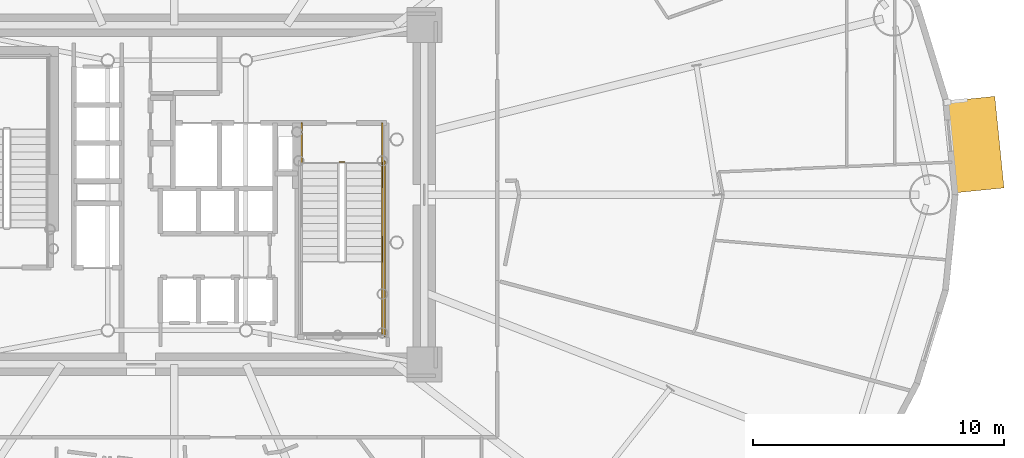
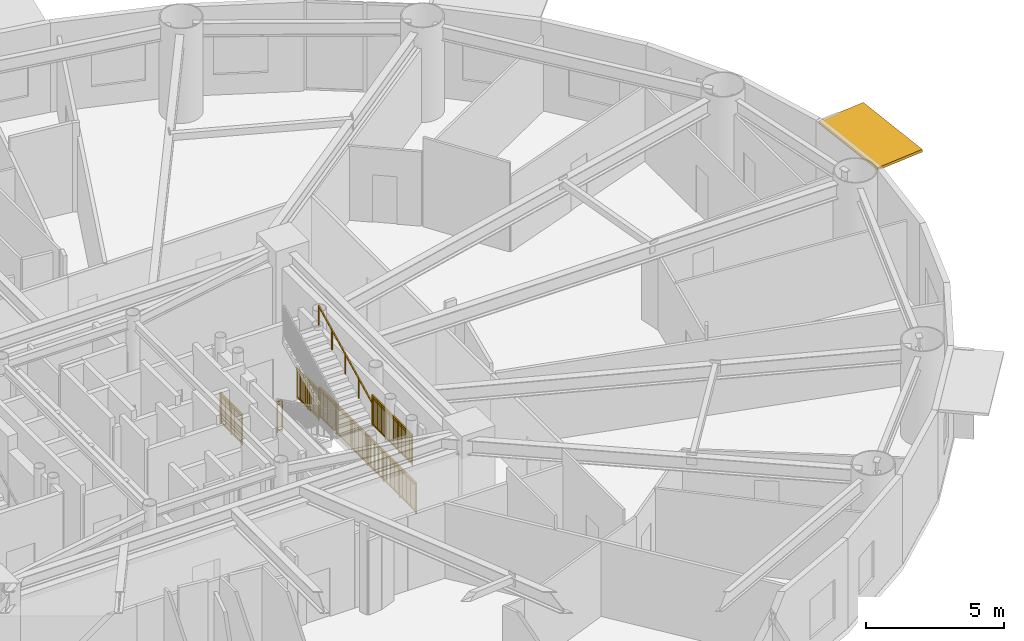
# One storey, part 23 of 24: 6 railings, 1 shading device.
"""IFC4 building model written with IfcOpenShell, lengths in metres."""

from ifc_helpers import new_model, si_unit, direction, frame, origin, origin_2d, place, context, subcontext, project, spatial, rectangle, extrude, source, transform, mapped, material, layer, layer_set, type_object, element, save


model = new_model("IFC4")

# Units and contexts
model_context = context("Model", 3, precision=1e-05, world=origin(), true_north=direction((0.0, 1.0)))
body_context = subcontext(model_context, "Body", "Model", "MODEL_VIEW")
ifc_project = project(units=[si_unit("LENGTHUNIT", "METRE"), si_unit("AREAUNIT", "SQUARE_METRE"), si_unit("VOLUMEUNIT", "CUBIC_METRE"), si_unit("PLANEANGLEUNIT", "RADIAN"), si_unit("MASSUNIT", "GRAM", prefix="KILO")], contexts=[model_context])

# Site, building, storey
site_placement = place(None, origin())
site = spatial("IfcSite", under=ifc_project, at=site_placement, CompositionType="ELEMENT")
building_placement = place(site_placement, origin())
building = spatial("IfcBuilding", under=site, at=building_placement, Name="Linh Dai School and Residence Tower", CompositionType="ELEMENT")
storey_placement = place(building_placement, frame((0.0, 0.0, 74.39990234375)))
storey = spatial("IfcBuildingStorey", under=building, at=storey_placement, Name="L17", CompositionType="ELEMENT", Elevation=74.39990234375)

# Shading device
ifc_material_1 = material(Name="Terracotta Ceramic Sunshade", Category="masonry")
ifc_layer = layer(ifc_material_1, 0.1201171875)
ifc_layer_set = layer_set([ifc_layer], Name="Terracotta Ceramic Sunshade")
shading_device_type = type_object("IfcShadingDeviceType", Name="SHD-TC-2000", PredefinedType="USERDEFINED", material=ifc_layer_set)
shared_shape_1 = source(origin(), body_context, "Body", "SweptSolid", [
    extrude(rectangle(XDim=3.663330078125, YDim=2.0, at=origin_2d()), origin(), (0.0, 0.0, 1.0), 0.1201171875),
])
shading_device_placement = place(storey_placement, frame((67.83935546875, 28.994384765625, 3.81005859375), z_axis=(0.0, 0.0, 1.0), x_axis=(0.100009387998, -0.994986493533, 0.0)))
element("IfcShadingDevice", 1, at=shading_device_placement, inside=storey, type_object=shading_device_type, Name="L17 Terracotta Horizontal Sunshade Band 01", ObjectType="SUNSHADE", PredefinedType="USERDEFINED", context=body_context, shape_type="MappedRepresentation", body=[
    mapped(shared_shape_1, transform((0.0, 0.0, 0.0), x_axis=(1.0, 0.0, 0.0), y_axis=(0.0, 1.0, 0.0), z_axis=(0.0, 0.0, 1.0), scale=1.0)),
])

# Railings
ifc_material_2 = material(Name="Structural Steel S355JR", Category="steel")
railing_type_1 = type_object("IfcRailingType", Name="RL-ST-GUARD-1400", PredefinedType="GUARDRAIL", material=ifc_material_2)
shared_shape_2 = source(origin(), body_context, "Body", "SweptSolid", [
    extrude(rectangle(XDim=0.048095703125, YDim=0.048095703125, at=origin_2d()), frame((0.0, 0.0, 1.3759765625), z_axis=(1.0, 0.0, 0.0), x_axis=(0.0, 1.0, 0.0)), (0.0, 0.0, 1.0), 0.199951171875),
    extrude(rectangle(XDim=0.048095703125, YDim=0.048095703125, at=origin_2d()), frame((0.0, 0.0, 0.10009765625), z_axis=(1.0, 0.0, 0.0), x_axis=(0.0, 1.0, 0.0)), (0.0, 0.0, 1.0), 0.199951171875),
    extrude(rectangle(XDim=0.030029296875, YDim=0.030029296875, at=origin_2d()), frame((0.0, 0.0, 1.239990234375), z_axis=(1.0, 0.0, 0.0), x_axis=(0.0, 1.0, 0.0)), (0.0, 0.0, 1.0), 0.199951171875),
    extrude(rectangle(XDim=0.0419921875, YDim=0.0419921875, at=origin_2d()), origin(), (0.0, 0.0, 1.0), 1.3759765625),
    extrude(rectangle(XDim=0.0419921875, YDim=0.0419921875, at=origin_2d()), frame((0.199951171875, 0.0, 0.0)), (0.0, 0.0, 1.0), 1.3759765625),
])
railing_1_placement = place(storey_placement, frame((42.570068359375, 28.300048828125, 0.0)))
element("IfcRailing", 2, at=railing_1_placement, inside=storey, type_object=railing_type_1, Name="L17 ST2 stair guard 7", PredefinedType="GUARDRAIL", context=body_context, shape_type="MappedRepresentation", body=[
    mapped(shared_shape_2, transform((0.0, 0.0, 0.0), x_axis=(1.0, 0.0, 0.0), y_axis=(0.0, 1.0, 0.0), z_axis=(0.0, 0.0, 1.0), scale=1.0)),
])
shared_shape_3 = source(origin(), body_context, "Body", "SweptSolid", [
    extrude(rectangle(XDim=0.048095703125, YDim=0.048095703125, at=origin_2d()), frame((0.0, 0.0, 1.3759765625), z_axis=(0.0, -1.0, 0.0), x_axis=(1.0, 0.0, 0.0)), (0.0, 0.0, 1.0), 1.60009765625),
    extrude(rectangle(XDim=0.048095703125, YDim=0.048095703125, at=origin_2d()), frame((0.0, 0.0, 0.10009765625), z_axis=(0.0, -1.0, 0.0), x_axis=(1.0, 0.0, 0.0)), (0.0, 0.0, 1.0), 1.60009765625),
    extrude(rectangle(XDim=0.030029296875, YDim=0.030029296875, at=origin_2d()), frame((0.0, 0.0, 1.239990234375), z_axis=(0.0, -1.0, 0.0), x_axis=(1.0, 0.0, 0.0)), (0.0, 0.0, 1.0), 1.60009765625),
    extrude(rectangle(XDim=0.02001953125, YDim=0.02001953125, at=origin_2d()), frame((0.0, -0.09423828125, 0.10009765625)), (0.0, 0.0, 1.0), 1.251708984375),
    extrude(rectangle(XDim=0.02001953125, YDim=0.02001953125, at=origin_2d()), frame((0.0, -0.188232421875, 0.10009765625)), (0.0, 0.0, 1.0), 1.251708984375),
    extrude(rectangle(XDim=0.02001953125, YDim=0.02001953125, at=origin_2d()), frame((0.0, -0.282470703125, 0.10009765625)), (0.0, 0.0, 1.0), 1.251708984375),
    extrude(rectangle(XDim=0.02001953125, YDim=0.02001953125, at=origin_2d()), frame((0.0, -0.37646484375, 0.10009765625)), (0.0, 0.0, 1.0), 1.251708984375),
    extrude(rectangle(XDim=0.02001953125, YDim=0.02001953125, at=origin_2d()), frame((0.0, -0.470703125, 0.10009765625)), (0.0, 0.0, 1.0), 1.251708984375),
    extrude(rectangle(XDim=0.02001953125, YDim=0.02001953125, at=origin_2d()), frame((0.0, -0.564697265625, 0.10009765625)), (0.0, 0.0, 1.0), 1.251708984375),
    extrude(rectangle(XDim=0.02001953125, YDim=0.02001953125, at=origin_2d()), frame((0.0, -0.658935546875, 0.10009765625)), (0.0, 0.0, 1.0), 1.251708984375),
    extrude(rectangle(XDim=0.02001953125, YDim=0.02001953125, at=origin_2d()), frame((0.0, -0.7529296875, 0.10009765625)), (0.0, 0.0, 1.0), 1.251708984375),
    extrude(rectangle(XDim=0.02001953125, YDim=0.02001953125, at=origin_2d()), frame((0.0, -0.84716796875, 0.10009765625)), (0.0, 0.0, 1.0), 1.251708984375),
    extrude(rectangle(XDim=0.02001953125, YDim=0.02001953125, at=origin_2d()), frame((0.0, -0.941162109375, 0.10009765625)), (0.0, 0.0, 1.0), 1.251708984375),
    extrude(rectangle(XDim=0.02001953125, YDim=0.02001953125, at=origin_2d()), frame((0.0, -1.035400390625, 0.10009765625)), (0.0, 0.0, 1.0), 1.251708984375),
    extrude(rectangle(XDim=0.02001953125, YDim=0.02001953125, at=origin_2d()), frame((0.0, -1.12939453125, 0.10009765625)), (0.0, 0.0, 1.0), 1.251708984375),
    extrude(rectangle(XDim=0.02001953125, YDim=0.02001953125, at=origin_2d()), frame((0.0, -1.2236328125, 0.10009765625)), (0.0, 0.0, 1.0), 1.251708984375),
    extrude(rectangle(XDim=0.02001953125, YDim=0.02001953125, at=origin_2d()), frame((0.0, -1.317626953125, 0.10009765625)), (0.0, 0.0, 1.0), 1.251708984375),
    extrude(rectangle(XDim=0.02001953125, YDim=0.02001953125, at=origin_2d()), frame((0.0, -1.411865234375, 0.10009765625)), (0.0, 0.0, 1.0), 1.251708984375),
    extrude(rectangle(XDim=0.02001953125, YDim=0.02001953125, at=origin_2d()), frame((0.0, -1.505859375, 0.10009765625)), (0.0, 0.0, 1.0), 1.251708984375),
    extrude(rectangle(XDim=0.0419921875, YDim=0.0419921875, at=origin_2d()), origin(), (0.0, 0.0, 1.0), 1.3759765625),
    extrude(rectangle(XDim=0.0419921875, YDim=0.0419921875, at=origin_2d()), frame((0.0, -0.800048828125, 0.0)), (0.0, 0.0, 1.0), 1.3759765625),
    extrude(rectangle(XDim=0.0419921875, YDim=0.0419921875, at=origin_2d()), frame((0.0, -1.60009765625, 0.0)), (0.0, 0.0, 1.0), 1.3759765625),
])
for number, where, name in (
    (3, (41.070068359375, 29.85009765625, 0.0), "L17 ST2 stair guard 8"),
    (4, (44.27001953125, 29.85009765625, 0.0), "L17 ST2 stair guard 9"),
):
    element("IfcRailing", number, at=place(storey_placement, frame(where)), inside=storey, type_object=railing_type_1, Name=name, PredefinedType="GUARDRAIL", context=body_context, shape_type="MappedRepresentation", body=[
        mapped(shared_shape_3, transform((0.0, 0.0, 0.0), x_axis=(1.0, 0.0, 0.0), y_axis=(0.0, 1.0, 0.0), z_axis=(0.0, 0.0, 1.0), scale=1.0)),
    ])
shared_shape_4 = source(origin(), body_context, "Body", "SweptSolid", [
    extrude(rectangle(XDim=0.048095703125, YDim=0.048095703125, at=origin_2d()), frame((0.0, 0.0, 1.3759765625), z_axis=(0.0, -1.0, 0.0), x_axis=(1.0, 0.0, 0.0)), (0.0, 0.0, 1.0), 7.0),
    extrude(rectangle(XDim=0.048095703125, YDim=0.048095703125, at=origin_2d()), frame((0.0, 0.0, 0.10009765625), z_axis=(0.0, -1.0, 0.0), x_axis=(1.0, 0.0, 0.0)), (0.0, 0.0, 1.0), 7.0),
    extrude(rectangle(XDim=0.030029296875, YDim=0.030029296875, at=origin_2d()), frame((0.0, 0.0, 1.239990234375), z_axis=(0.0, -1.0, 0.0), x_axis=(1.0, 0.0, 0.0)), (0.0, 0.0, 1.0), 7.0),
    extrude(rectangle(XDim=0.02001953125, YDim=0.02001953125, at=origin_2d()), frame((0.0, -0.09716796875, 0.10009765625)), (0.0, 0.0, 1.0), 1.251708984375),
    extrude(rectangle(XDim=0.02001953125, YDim=0.02001953125, at=origin_2d()), frame((0.0, -0.1943359375, 0.10009765625)), (0.0, 0.0, 1.0), 1.251708984375),
    extrude(rectangle(XDim=0.02001953125, YDim=0.02001953125, at=origin_2d()), frame((0.0, -0.291748046875, 0.10009765625)), (0.0, 0.0, 1.0), 1.251708984375),
    extrude(rectangle(XDim=0.02001953125, YDim=0.02001953125, at=origin_2d()), frame((0.0, -0.388916015625, 0.10009765625)), (0.0, 0.0, 1.0), 1.251708984375),
    extrude(rectangle(XDim=0.02001953125, YDim=0.02001953125, at=origin_2d()), frame((0.0, -0.486083984375, 0.10009765625)), (0.0, 0.0, 1.0), 1.251708984375),
    extrude(rectangle(XDim=0.02001953125, YDim=0.02001953125, at=origin_2d()), frame((0.0, -0.583251953125, 0.10009765625)), (0.0, 0.0, 1.0), 1.251708984375),
    extrude(rectangle(XDim=0.02001953125, YDim=0.02001953125, at=origin_2d()), frame((0.0, -0.6806640625, 0.10009765625)), (0.0, 0.0, 1.0), 1.251708984375),
    extrude(rectangle(XDim=0.02001953125, YDim=0.02001953125, at=origin_2d()), frame((0.0, -0.77783203125, 0.10009765625)), (0.0, 0.0, 1.0), 1.251708984375),
    extrude(rectangle(XDim=0.02001953125, YDim=0.02001953125, at=origin_2d()), frame((0.0, -0.875, 0.10009765625)), (0.0, 0.0, 1.0), 1.251708984375),
    extrude(rectangle(XDim=0.02001953125, YDim=0.02001953125, at=origin_2d()), frame((0.0, -0.97216796875, 0.10009765625)), (0.0, 0.0, 1.0), 1.251708984375),
    extrude(rectangle(XDim=0.02001953125, YDim=0.02001953125, at=origin_2d()), frame((0.0, -1.0693359375, 0.10009765625)), (0.0, 0.0, 1.0), 1.251708984375),
    extrude(rectangle(XDim=0.02001953125, YDim=0.02001953125, at=origin_2d()), frame((0.0, -1.263916015625, 0.10009765625)), (0.0, 0.0, 1.0), 1.251708984375),
    extrude(rectangle(XDim=0.02001953125, YDim=0.02001953125, at=origin_2d()), frame((0.0, -1.361083984375, 0.10009765625)), (0.0, 0.0, 1.0), 1.251708984375),
    extrude(rectangle(XDim=0.02001953125, YDim=0.02001953125, at=origin_2d()), frame((0.0, -1.458251953125, 0.10009765625)), (0.0, 0.0, 1.0), 1.251708984375),
    extrude(rectangle(XDim=0.02001953125, YDim=0.02001953125, at=origin_2d()), frame((0.0, -1.5556640625, 0.10009765625)), (0.0, 0.0, 1.0), 1.251708984375),
    extrude(rectangle(XDim=0.02001953125, YDim=0.02001953125, at=origin_2d()), frame((0.0, -1.65283203125, 0.10009765625)), (0.0, 0.0, 1.0), 1.251708984375),
    extrude(rectangle(XDim=0.02001953125, YDim=0.02001953125, at=origin_2d()), frame((0.0, -1.75, 0.10009765625)), (0.0, 0.0, 1.0), 1.251708984375),
    extrude(rectangle(XDim=0.02001953125, YDim=0.02001953125, at=origin_2d()), frame((0.0, -1.84716796875, 0.10009765625)), (0.0, 0.0, 1.0), 1.251708984375),
    extrude(rectangle(XDim=0.02001953125, YDim=0.02001953125, at=origin_2d()), frame((0.0, -1.9443359375, 0.10009765625)), (0.0, 0.0, 1.0), 1.251708984375),
    extrude(rectangle(XDim=0.02001953125, YDim=0.02001953125, at=origin_2d()), frame((0.0, -2.041748046875, 0.10009765625)), (0.0, 0.0, 1.0), 1.251708984375),
    extrude(rectangle(XDim=0.02001953125, YDim=0.02001953125, at=origin_2d()), frame((0.0, -2.138916015625, 0.10009765625)), (0.0, 0.0, 1.0), 1.251708984375),
    extrude(rectangle(XDim=0.02001953125, YDim=0.02001953125, at=origin_2d()), frame((0.0, -2.236083984375, 0.10009765625)), (0.0, 0.0, 1.0), 1.251708984375),
    extrude(rectangle(XDim=0.02001953125, YDim=0.02001953125, at=origin_2d()), frame((0.0, -2.4306640625, 0.10009765625)), (0.0, 0.0, 1.0), 1.251708984375),
    extrude(rectangle(XDim=0.02001953125, YDim=0.02001953125, at=origin_2d()), frame((0.0, -2.52783203125, 0.10009765625)), (0.0, 0.0, 1.0), 1.251708984375),
    extrude(rectangle(XDim=0.02001953125, YDim=0.02001953125, at=origin_2d()), frame((0.0, -2.625, 0.10009765625)), (0.0, 0.0, 1.0), 1.251708984375),
    extrude(rectangle(XDim=0.02001953125, YDim=0.02001953125, at=origin_2d()), frame((0.0, -2.72216796875, 0.10009765625)), (0.0, 0.0, 1.0), 1.251708984375),
    extrude(rectangle(XDim=0.02001953125, YDim=0.02001953125, at=origin_2d()), frame((0.0, -2.8193359375, 0.10009765625)), (0.0, 0.0, 1.0), 1.251708984375),
    extrude(rectangle(XDim=0.02001953125, YDim=0.02001953125, at=origin_2d()), frame((0.0, -2.916748046875, 0.10009765625)), (0.0, 0.0, 1.0), 1.251708984375),
    extrude(rectangle(XDim=0.02001953125, YDim=0.02001953125, at=origin_2d()), frame((0.0, -3.013916015625, 0.10009765625)), (0.0, 0.0, 1.0), 1.251708984375),
    extrude(rectangle(XDim=0.02001953125, YDim=0.02001953125, at=origin_2d()), frame((0.0, -3.111083984375, 0.10009765625)), (0.0, 0.0, 1.0), 1.251708984375),
    extrude(rectangle(XDim=0.02001953125, YDim=0.02001953125, at=origin_2d()), frame((0.0, -3.208251953125, 0.10009765625)), (0.0, 0.0, 1.0), 1.251708984375),
    extrude(rectangle(XDim=0.02001953125, YDim=0.02001953125, at=origin_2d()), frame((0.0, -3.3056640625, 0.10009765625)), (0.0, 0.0, 1.0), 1.251708984375),
    extrude(rectangle(XDim=0.02001953125, YDim=0.02001953125, at=origin_2d()), frame((0.0, -3.40283203125, 0.10009765625)), (0.0, 0.0, 1.0), 1.251708984375),
    extrude(rectangle(XDim=0.02001953125, YDim=0.02001953125, at=origin_2d()), frame((0.0, -3.59716796875, 0.10009765625)), (0.0, 0.0, 1.0), 1.251708984375),
    extrude(rectangle(XDim=0.02001953125, YDim=0.02001953125, at=origin_2d()), frame((0.0, -3.6943359375, 0.10009765625)), (0.0, 0.0, 1.0), 1.251708984375),
    extrude(rectangle(XDim=0.02001953125, YDim=0.02001953125, at=origin_2d()), frame((0.0, -3.791748046875, 0.10009765625)), (0.0, 0.0, 1.0), 1.251708984375),
    extrude(rectangle(XDim=0.02001953125, YDim=0.02001953125, at=origin_2d()), frame((0.0, -3.888916015625, 0.10009765625)), (0.0, 0.0, 1.0), 1.251708984375),
    extrude(rectangle(XDim=0.02001953125, YDim=0.02001953125, at=origin_2d()), frame((0.0, -3.986083984375, 0.10009765625)), (0.0, 0.0, 1.0), 1.251708984375),
    extrude(rectangle(XDim=0.02001953125, YDim=0.02001953125, at=origin_2d()), frame((0.0, -4.083251953125, 0.10009765625)), (0.0, 0.0, 1.0), 1.251708984375),
    extrude(rectangle(XDim=0.02001953125, YDim=0.02001953125, at=origin_2d()), frame((0.0, -4.1806640625, 0.10009765625)), (0.0, 0.0, 1.0), 1.251708984375),
    extrude(rectangle(XDim=0.02001953125, YDim=0.02001953125, at=origin_2d()), frame((0.0, -4.27783203125, 0.10009765625)), (0.0, 0.0, 1.0), 1.251708984375),
    extrude(rectangle(XDim=0.02001953125, YDim=0.02001953125, at=origin_2d()), frame((0.0, -4.375, 0.10009765625)), (0.0, 0.0, 1.0), 1.251708984375),
    extrude(rectangle(XDim=0.02001953125, YDim=0.02001953125, at=origin_2d()), frame((0.0, -4.47216796875, 0.10009765625)), (0.0, 0.0, 1.0), 1.251708984375),
    extrude(rectangle(XDim=0.02001953125, YDim=0.02001953125, at=origin_2d()), frame((0.0, -4.5693359375, 0.10009765625)), (0.0, 0.0, 1.0), 1.251708984375),
    extrude(rectangle(XDim=0.02001953125, YDim=0.02001953125, at=origin_2d()), frame((0.0, -4.763916015625, 0.10009765625)), (0.0, 0.0, 1.0), 1.251708984375),
    extrude(rectangle(XDim=0.02001953125, YDim=0.02001953125, at=origin_2d()), frame((0.0, -4.861083984375, 0.10009765625)), (0.0, 0.0, 1.0), 1.251708984375),
    extrude(rectangle(XDim=0.02001953125, YDim=0.02001953125, at=origin_2d()), frame((0.0, -4.958251953125, 0.10009765625)), (0.0, 0.0, 1.0), 1.251708984375),
    extrude(rectangle(XDim=0.02001953125, YDim=0.02001953125, at=origin_2d()), frame((0.0, -5.0556640625, 0.10009765625)), (0.0, 0.0, 1.0), 1.251708984375),
    extrude(rectangle(XDim=0.02001953125, YDim=0.02001953125, at=origin_2d()), frame((0.0, -5.15283203125, 0.10009765625)), (0.0, 0.0, 1.0), 1.251708984375),
    extrude(rectangle(XDim=0.02001953125, YDim=0.02001953125, at=origin_2d()), frame((0.0, -5.25, 0.10009765625)), (0.0, 0.0, 1.0), 1.251708984375),
    extrude(rectangle(XDim=0.02001953125, YDim=0.02001953125, at=origin_2d()), frame((0.0, -5.34716796875, 0.10009765625)), (0.0, 0.0, 1.0), 1.251708984375),
    extrude(rectangle(XDim=0.02001953125, YDim=0.02001953125, at=origin_2d()), frame((0.0, -5.4443359375, 0.10009765625)), (0.0, 0.0, 1.0), 1.251708984375),
    extrude(rectangle(XDim=0.02001953125, YDim=0.02001953125, at=origin_2d()), frame((0.0, -5.541748046875, 0.10009765625)), (0.0, 0.0, 1.0), 1.251708984375),
    extrude(rectangle(XDim=0.02001953125, YDim=0.02001953125, at=origin_2d()), frame((0.0, -5.638916015625, 0.10009765625)), (0.0, 0.0, 1.0), 1.251708984375),
    extrude(rectangle(XDim=0.02001953125, YDim=0.02001953125, at=origin_2d()), frame((0.0, -5.736083984375, 0.10009765625)), (0.0, 0.0, 1.0), 1.251708984375),
    extrude(rectangle(XDim=0.02001953125, YDim=0.02001953125, at=origin_2d()), frame((0.0, -5.9306640625, 0.10009765625)), (0.0, 0.0, 1.0), 1.251708984375),
    extrude(rectangle(XDim=0.02001953125, YDim=0.02001953125, at=origin_2d()), frame((0.0, -6.02783203125, 0.10009765625)), (0.0, 0.0, 1.0), 1.251708984375),
    extrude(rectangle(XDim=0.02001953125, YDim=0.02001953125, at=origin_2d()), frame((0.0, -6.125, 0.10009765625)), (0.0, 0.0, 1.0), 1.251708984375),
    extrude(rectangle(XDim=0.02001953125, YDim=0.02001953125, at=origin_2d()), frame((0.0, -6.22216796875, 0.10009765625)), (0.0, 0.0, 1.0), 1.251708984375),
    extrude(rectangle(XDim=0.02001953125, YDim=0.02001953125, at=origin_2d()), frame((0.0, -6.3193359375, 0.10009765625)), (0.0, 0.0, 1.0), 1.251708984375),
    extrude(rectangle(XDim=0.02001953125, YDim=0.02001953125, at=origin_2d()), frame((0.0, -6.416748046875, 0.10009765625)), (0.0, 0.0, 1.0), 1.251708984375),
    extrude(rectangle(XDim=0.02001953125, YDim=0.02001953125, at=origin_2d()), frame((0.0, -6.513916015625, 0.10009765625)), (0.0, 0.0, 1.0), 1.251708984375),
    extrude(rectangle(XDim=0.02001953125, YDim=0.02001953125, at=origin_2d()), frame((0.0, -6.611083984375, 0.10009765625)), (0.0, 0.0, 1.0), 1.251708984375),
    extrude(rectangle(XDim=0.02001953125, YDim=0.02001953125, at=origin_2d()), frame((0.0, -6.708251953125, 0.10009765625)), (0.0, 0.0, 1.0), 1.251708984375),
    extrude(rectangle(XDim=0.02001953125, YDim=0.02001953125, at=origin_2d()), frame((0.0, -6.8056640625, 0.10009765625)), (0.0, 0.0, 1.0), 1.251708984375),
    extrude(rectangle(XDim=0.02001953125, YDim=0.02001953125, at=origin_2d()), frame((0.0, -6.90283203125, 0.10009765625)), (0.0, 0.0, 1.0), 1.251708984375),
    extrude(rectangle(XDim=0.0419921875, YDim=0.0419921875, at=origin_2d()), origin(), (0.0, 0.0, 1.0), 1.3759765625),
    extrude(rectangle(XDim=0.0419921875, YDim=0.0419921875, at=origin_2d()), frame((0.0, -1.166748046875, 0.0)), (0.0, 0.0, 1.0), 1.3759765625),
    extrude(rectangle(XDim=0.0419921875, YDim=0.0419921875, at=origin_2d()), frame((0.0, -2.333251953125, 0.0)), (0.0, 0.0, 1.0), 1.3759765625),
    extrude(rectangle(XDim=0.0419921875, YDim=0.0419921875, at=origin_2d()), frame((0.0, -3.5, 0.0)), (0.0, 0.0, 1.0), 1.3759765625),
    extrude(rectangle(XDim=0.0419921875, YDim=0.0419921875, at=origin_2d()), frame((0.0, -4.666748046875, 0.0)), (0.0, 0.0, 1.0), 1.3759765625),
    extrude(rectangle(XDim=0.0419921875, YDim=0.0419921875, at=origin_2d()), frame((0.0, -5.833251953125, 0.0)), (0.0, 0.0, 1.0), 1.3759765625),
    extrude(rectangle(XDim=0.0419921875, YDim=0.0419921875, at=origin_2d()), frame((0.0, -7.0, 0.0)), (0.0, 0.0, 1.0), 1.3759765625),
])
railing_2_placement = place(storey_placement, frame((44.3701171875, 28.35009765625, 0.0)))
element("IfcRailing", 5, at=railing_2_placement, inside=storey, type_object=railing_type_1, Name="L17 ST2 stair guard 11", PredefinedType="GUARDRAIL", context=body_context, shape_type="MappedRepresentation", body=[
    mapped(shared_shape_4, transform((0.0, 0.0, 0.0), x_axis=(1.0, 0.0, 0.0), y_axis=(0.0, 1.0, 0.0), z_axis=(0.0, 0.0, 1.0), scale=1.0)),
])
shared_shape_5 = source(origin(), body_context, "Body", "SweptSolid", [
    extrude(rectangle(XDim=0.048095703125, YDim=0.048095703125, at=origin_2d()), frame((0.0, 0.0, 1.3759765625), z_axis=(0.0, -1.0, 0.0), x_axis=(1.0, 0.0, 0.0)), (0.0, 0.0, 1.0), 2.900146484375),
    extrude(rectangle(XDim=0.048095703125, YDim=0.048095703125, at=origin_2d()), frame((0.0, 0.0, 0.10009765625), z_axis=(0.0, -1.0, 0.0), x_axis=(1.0, 0.0, 0.0)), (0.0, 0.0, 1.0), 2.900146484375),
    extrude(rectangle(XDim=0.030029296875, YDim=0.030029296875, at=origin_2d()), frame((0.0, 0.0, 1.239990234375), z_axis=(0.0, -1.0, 0.0), x_axis=(1.0, 0.0, 0.0)), (0.0, 0.0, 1.0), 2.900146484375),
    extrude(rectangle(XDim=0.02001953125, YDim=0.02001953125, at=origin_2d()), frame((0.0, -0.0966796875, 0.10009765625)), (0.0, 0.0, 1.0), 1.251708984375),
    extrude(rectangle(XDim=0.02001953125, YDim=0.02001953125, at=origin_2d()), frame((0.0, -0.193359375, 0.10009765625)), (0.0, 0.0, 1.0), 1.251708984375),
    extrude(rectangle(XDim=0.02001953125, YDim=0.02001953125, at=origin_2d()), frame((0.0, -0.2900390625, 0.10009765625)), (0.0, 0.0, 1.0), 1.251708984375),
    extrude(rectangle(XDim=0.02001953125, YDim=0.02001953125, at=origin_2d()), frame((0.0, -0.38671875, 0.10009765625)), (0.0, 0.0, 1.0), 1.251708984375),
    extrude(rectangle(XDim=0.02001953125, YDim=0.02001953125, at=origin_2d()), frame((0.0, -0.4833984375, 0.10009765625)), (0.0, 0.0, 1.0), 1.251708984375),
    extrude(rectangle(XDim=0.02001953125, YDim=0.02001953125, at=origin_2d()), frame((0.0, -0.580078125, 0.10009765625)), (0.0, 0.0, 1.0), 1.251708984375),
    extrude(rectangle(XDim=0.02001953125, YDim=0.02001953125, at=origin_2d()), frame((0.0, -0.6767578125, 0.10009765625)), (0.0, 0.0, 1.0), 1.251708984375),
    extrude(rectangle(XDim=0.02001953125, YDim=0.02001953125, at=origin_2d()), frame((0.0, -0.7734375, 0.10009765625)), (0.0, 0.0, 1.0), 1.251708984375),
    extrude(rectangle(XDim=0.02001953125, YDim=0.02001953125, at=origin_2d()), frame((0.0, -0.8701171875, 0.10009765625)), (0.0, 0.0, 1.0), 1.251708984375),
    extrude(rectangle(XDim=0.02001953125, YDim=0.02001953125, at=origin_2d()), frame((0.0, -1.0634765625, 0.10009765625)), (0.0, 0.0, 1.0), 1.251708984375),
    extrude(rectangle(XDim=0.02001953125, YDim=0.02001953125, at=origin_2d()), frame((0.0, -1.16015625, 0.10009765625)), (0.0, 0.0, 1.0), 1.251708984375),
    extrude(rectangle(XDim=0.02001953125, YDim=0.02001953125, at=origin_2d()), frame((0.0, -1.2568359375, 0.10009765625)), (0.0, 0.0, 1.0), 1.251708984375),
    extrude(rectangle(XDim=0.02001953125, YDim=0.02001953125, at=origin_2d()), frame((0.0, -1.353515625, 0.10009765625)), (0.0, 0.0, 1.0), 1.251708984375),
    extrude(rectangle(XDim=0.02001953125, YDim=0.02001953125, at=origin_2d()), frame((0.0, -1.4501953125, 0.10009765625)), (0.0, 0.0, 1.0), 1.251708984375),
    extrude(rectangle(XDim=0.02001953125, YDim=0.02001953125, at=origin_2d()), frame((0.0, -1.546630859375, 0.10009765625)), (0.0, 0.0, 1.0), 1.251708984375),
    extrude(rectangle(XDim=0.02001953125, YDim=0.02001953125, at=origin_2d()), frame((0.0, -1.643310546875, 0.10009765625)), (0.0, 0.0, 1.0), 1.251708984375),
    extrude(rectangle(XDim=0.02001953125, YDim=0.02001953125, at=origin_2d()), frame((0.0, -1.739990234375, 0.10009765625)), (0.0, 0.0, 1.0), 1.251708984375),
    extrude(rectangle(XDim=0.02001953125, YDim=0.02001953125, at=origin_2d()), frame((0.0, -1.836669921875, 0.10009765625)), (0.0, 0.0, 1.0), 1.251708984375),
    extrude(rectangle(XDim=0.02001953125, YDim=0.02001953125, at=origin_2d()), frame((0.0, -2.030029296875, 0.10009765625)), (0.0, 0.0, 1.0), 1.251708984375),
    extrude(rectangle(XDim=0.02001953125, YDim=0.02001953125, at=origin_2d()), frame((0.0, -2.126708984375, 0.10009765625)), (0.0, 0.0, 1.0), 1.251708984375),
    extrude(rectangle(XDim=0.02001953125, YDim=0.02001953125, at=origin_2d()), frame((0.0, -2.223388671875, 0.10009765625)), (0.0, 0.0, 1.0), 1.251708984375),
    extrude(rectangle(XDim=0.02001953125, YDim=0.02001953125, at=origin_2d()), frame((0.0, -2.320068359375, 0.10009765625)), (0.0, 0.0, 1.0), 1.251708984375),
    extrude(rectangle(XDim=0.02001953125, YDim=0.02001953125, at=origin_2d()), frame((0.0, -2.416748046875, 0.10009765625)), (0.0, 0.0, 1.0), 1.251708984375),
    extrude(rectangle(XDim=0.02001953125, YDim=0.02001953125, at=origin_2d()), frame((0.0, -2.513427734375, 0.10009765625)), (0.0, 0.0, 1.0), 1.251708984375),
    extrude(rectangle(XDim=0.02001953125, YDim=0.02001953125, at=origin_2d()), frame((0.0, -2.610107421875, 0.10009765625)), (0.0, 0.0, 1.0), 1.251708984375),
    extrude(rectangle(XDim=0.02001953125, YDim=0.02001953125, at=origin_2d()), frame((0.0, -2.706787109375, 0.10009765625)), (0.0, 0.0, 1.0), 1.251708984375),
    extrude(rectangle(XDim=0.02001953125, YDim=0.02001953125, at=origin_2d()), frame((0.0, -2.803466796875, 0.10009765625)), (0.0, 0.0, 1.0), 1.251708984375),
    extrude(rectangle(XDim=0.0419921875, YDim=0.0419921875, at=origin_2d()), origin(), (0.0, 0.0, 1.0), 1.3759765625),
    extrude(rectangle(XDim=0.0419921875, YDim=0.0419921875, at=origin_2d()), frame((0.0, -0.966796875, 0.0)), (0.0, 0.0, 1.0), 1.3759765625),
    extrude(rectangle(XDim=0.0419921875, YDim=0.0419921875, at=origin_2d()), frame((0.0, -1.933349609375, 0.0)), (0.0, 0.0, 1.0), 1.3759765625),
    extrude(rectangle(XDim=0.0419921875, YDim=0.0419921875, at=origin_2d()), frame((0.0, -2.900146484375, 0.0)), (0.0, 0.0, 1.0), 1.3759765625),
])
railing_3_placement = place(storey_placement, frame((44.27001953125, 24.35009765625, 2.10009765625)))
element("IfcRailing", 6, at=railing_3_placement, inside=storey, type_object=railing_type_1, Name="L17 ST2 stair guard 4", PredefinedType="GUARDRAIL", context=body_context, shape_type="MappedRepresentation", body=[
    mapped(shared_shape_5, transform((0.0, 0.0, 0.0), x_axis=(1.0, 0.0, 0.0), y_axis=(0.0, 1.0, 0.0), z_axis=(0.0, 0.0, 1.0), scale=1.0)),
])
ifc_material_3 = material(Name="Brushed Stainless Steel Handrail", Category="steel")
railing_type_2 = type_object("IfcRailingType", Name="RL-ST-HANDRAIL-900", PredefinedType="HANDRAIL", material=ifc_material_3)
shared_shape_6 = source(origin(), body_context, "Body", "SweptSolid", [
    extrude(rectangle(XDim=0.048095703125, YDim=0.048095703125, at=origin_2d()), frame((0.0, 0.0, 0.8759765625), z_axis=(0.0, 0.894404793364, 0.447258387967), x_axis=(-1.0, 0.0, 0.0)), (0.0, 0.0, 1.0), 4.3603515625),
    extrude(rectangle(XDim=0.0419921875, YDim=0.0419921875, at=origin_2d()), origin(), (0.0, 0.0, 1.0), 0.8759765625),
    extrude(rectangle(XDim=0.0419921875, YDim=0.0419921875, at=origin_2d()), frame((0.0, 0.97509765625, 0.487548828125)), (0.0, 0.0, 1.0), 0.8759765625),
    extrude(rectangle(XDim=0.0419921875, YDim=0.0419921875, at=origin_2d()), frame((0.0, 1.949951171875, 0.97509765625)), (0.0, 0.0, 1.0), 0.8759765625),
    extrude(rectangle(XDim=0.0419921875, YDim=0.0419921875, at=origin_2d()), frame((0.0, 2.9248046875, 1.462646484375)), (0.0, 0.0, 1.0), 0.8759765625),
    extrude(rectangle(XDim=0.0419921875, YDim=0.0419921875, at=origin_2d()), frame((0.0, 3.89990234375, 1.9501953125)), (0.0, 0.0, 1.0), 0.8759765625),
])
railing_4_placement = place(storey_placement, frame((44.27001953125, 24.35009765625, 2.25)))
element("IfcRailing", 7, at=railing_4_placement, inside=storey, type_object=railing_type_2, Name="L17 ST2 stair handrail 2", PredefinedType="HANDRAIL", context=body_context, shape_type="MappedRepresentation", body=[
    mapped(shared_shape_6, transform((0.0, 0.0, 0.0), x_axis=(1.0, 0.0, 0.0), y_axis=(0.0, 1.0, 0.0), z_axis=(0.0, 0.0, 1.0), scale=1.0)),
])

save(model, "model.ifc")
